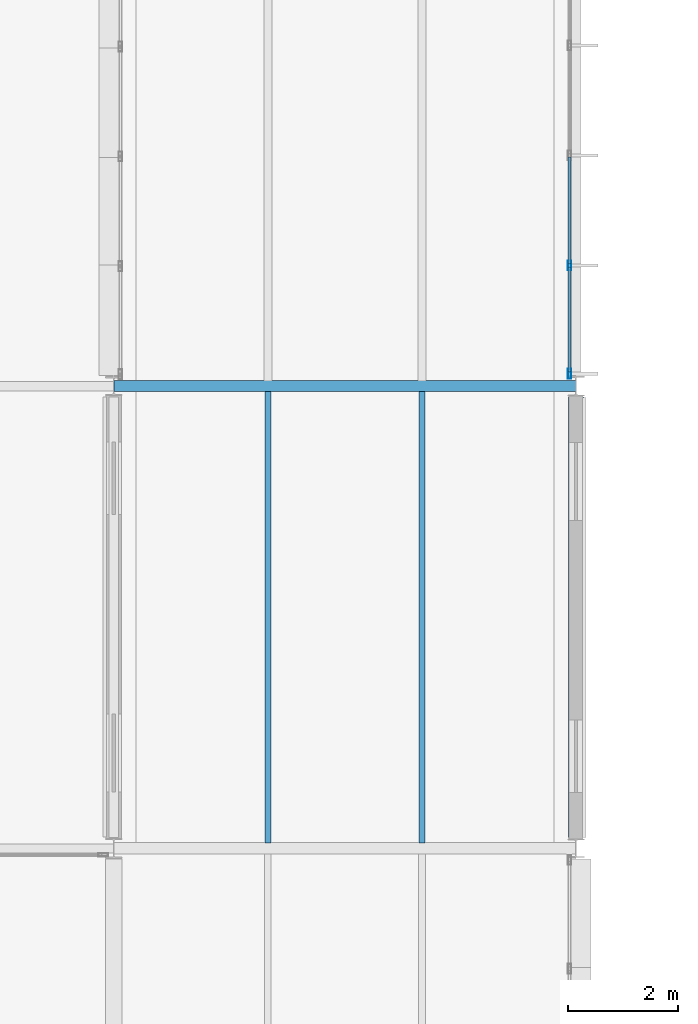
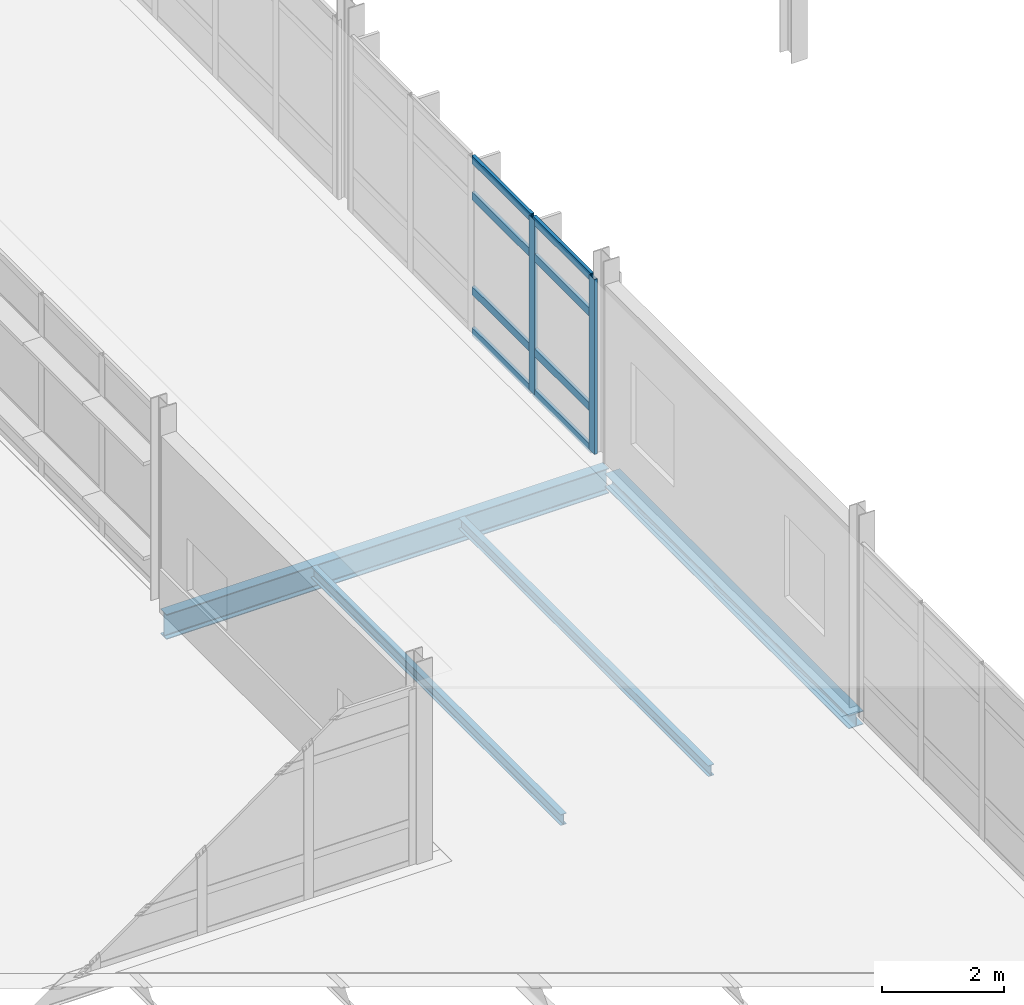
# One storey, part 65 of 103: 10 members, 4 beams, 1 element without a shape of its own.
"""IFC4 building model written with IfcOpenShell, lengths in metres."""

from ifc_helpers import new_model, si_unit, direction, frame, origin, origin_2d, place, context, subcontext, project, spatial, hollow_rectangle, i_section, extrude, material, material_profile, profile_set, type_object, element, aggregate, save


model = new_model("IFC4")

# Units and contexts
model_context = context("Model", 3, precision=1e-05, world=origin(), true_north=direction((0.0, 1.0)))
body_context = subcontext(model_context, "Body", "Model", "MODEL_VIEW")
ifc_project = project(units=[si_unit("LENGTHUNIT", "METRE"), si_unit("AREAUNIT", "SQUARE_METRE"), si_unit("VOLUMEUNIT", "CUBIC_METRE"), si_unit("PLANEANGLEUNIT", "RADIAN"), si_unit("MASSUNIT", "GRAM", prefix="KILO")], contexts=[model_context])

# Site, building, storey
site_placement = place(None, origin())
site = spatial("IfcSite", under=ifc_project, at=site_placement, CompositionType="ELEMENT")
building_placement = place(site_placement, origin())
building = spatial("IfcBuilding", under=site, at=building_placement, Name="Mersafa Astral City Hall", CompositionType="ELEMENT")
storey_placement = place(building_placement, frame((0.0, 0.0, 18.0)))
storey = spatial("IfcBuildingStorey", under=building, at=storey_placement, Name="L04", CompositionType="ELEMENT", Elevation=18.0)

# Curtain wall, members
ifc_material_1 = material(Name="Anodised bronze aluminium framing", Category="aluminium")
curtain_wall_type = type_object("IfcCurtainWallType", Name="ENV-CW-1", PredefinedType="USERDEFINED", material=ifc_material_1)
curtain_wall_placement = place(storey_placement, origin())
curtain_wall = element("IfcCurtainWall", 1, at=curtain_wall_placement, inside=storey, type_object=curtain_wall_type, Name="L04 Unitised solar curtain wall 192", ObjectType="UNITISED CURTAIN WALL", PredefinedType="USERDEFINED")
ifc_material_profile_1 = material_profile(ifc_material_1, hollow_rectangle(XDim=0.06005859375, YDim=0.179931640625, WallThickness=0.00390625, at=origin_2d()), Name="RHS 60x180x4")
ifc_profile_set_1 = profile_set([ifc_material_profile_1], Name="Anodised bronze aluminium framing")
member_type_1 = type_object("IfcMemberType", Name="ENV-CW-MUL-1", PredefinedType="MULLION", material=ifc_profile_set_1)
member_1_placement = place(storey_placement, frame((176.280029296875, 92.6220703125, -0.001953125), z_axis=(0.0, 0.0, 1.0), x_axis=(-1.0, 0.0, 0.0)))
member_1 = element("IfcMember", 2, at=member_1_placement, type_object=member_type_1, Name="CW-1 mullion 1", PredefinedType="MULLION", context=body_context, shape_type="SweptSolid", body=[
    extrude(hollow_rectangle(XDim=0.06005859375, YDim=0.179931640625, WallThickness=0.00390625, at=origin_2d()), origin(), (0.0, 0.0, 1.0), 3.509033203125),
])
member_2_placement = place(storey_placement, frame((176.280029296875, 94.591064453125, -0.001953125), z_axis=(0.0, 0.0, 1.0), x_axis=(-1.0, 0.0, 0.0)))
member_2 = element("IfcMember", 3, at=member_2_placement, type_object=member_type_1, Name="CW-1 mullion 2", PredefinedType="MULLION", context=body_context, shape_type="SweptSolid", body=[
    extrude(hollow_rectangle(XDim=0.06005859375, YDim=0.179931640625, WallThickness=0.00390625, at=origin_2d()), origin(), (0.0, 0.0, 1.0), 3.509033203125),
])
ifc_material_profile_2 = material_profile(ifc_material_1, hollow_rectangle(XDim=0.06005859375, YDim=0.159912109375, WallThickness=0.00390625, at=origin_2d()), Name="RHS 60x160x4")
ifc_profile_set_2 = profile_set([ifc_material_profile_2], Name="Anodised bronze aluminium framing")
member_type_2 = type_object("IfcMemberType", Name="ENV-CW-TRN-2", PredefinedType="USERDEFINED", material=ifc_profile_set_2)
member_3_placement = place(storey_placement, frame((176.280029296875, 92.652099609375, 0.028076171875), z_axis=(0.0, 1.0, 0.0), x_axis=(-1.0, 0.0, 0.0)))
member_3 = element("IfcMember", 4, at=member_3_placement, type_object=member_type_2, Name="CW-1 transom 1.1", ObjectType="TRANSOM", PredefinedType="USERDEFINED", context=body_context, shape_type="SweptSolid", body=[
    extrude(hollow_rectangle(XDim=0.06005859375, YDim=0.159912109375, WallThickness=0.00390625, at=origin_2d()), origin(), (0.0, 0.0, 1.0), 1.908935546875),
])
member_4_placement = place(storey_placement, frame((176.280029296875, 92.652099609375, 0.85009765625), z_axis=(0.0, 1.0, 0.0), x_axis=(-1.0, 0.0, 0.0)))
member_4 = element("IfcMember", 5, at=member_4_placement, type_object=member_type_2, Name="CW-1 transom 1.2", ObjectType="TRANSOM", PredefinedType="USERDEFINED", context=body_context, shape_type="SweptSolid", body=[
    extrude(hollow_rectangle(XDim=0.06005859375, YDim=0.159912109375, WallThickness=0.00390625, at=origin_2d()), origin(), (0.0, 0.0, 1.0), 1.908935546875),
])
member_5_placement = place(storey_placement, frame((176.280029296875, 92.652099609375, 2.75), z_axis=(0.0, 1.0, 0.0), x_axis=(-1.0, 0.0, 0.0)))
member_5 = element("IfcMember", 6, at=member_5_placement, type_object=member_type_2, Name="CW-1 transom 1.3", ObjectType="TRANSOM", PredefinedType="USERDEFINED", context=body_context, shape_type="SweptSolid", body=[
    extrude(hollow_rectangle(XDim=0.06005859375, YDim=0.159912109375, WallThickness=0.00390625, at=origin_2d()), origin(), (0.0, 0.0, 1.0), 1.908935546875),
])
member_6_placement = place(storey_placement, frame((176.280029296875, 92.652099609375, 3.47705078125), z_axis=(0.0, 1.0, 0.0), x_axis=(-1.0, 0.0, 0.0)))
member_6 = element("IfcMember", 7, at=member_6_placement, type_object=member_type_2, Name="CW-1 transom 1.4", ObjectType="TRANSOM", PredefinedType="USERDEFINED", context=body_context, shape_type="SweptSolid", body=[
    extrude(hollow_rectangle(XDim=0.06005859375, YDim=0.159912109375, WallThickness=0.00390625, at=origin_2d()), origin(), (0.0, 0.0, 1.0), 1.908935546875),
])
member_7_placement = place(storey_placement, frame((176.280029296875, 94.62109375, 0.028076171875), z_axis=(0.0, 1.0, 0.0), x_axis=(-1.0, 0.0, 0.0)))
member_7 = element("IfcMember", 8, at=member_7_placement, type_object=member_type_2, Name="CW-1 transom 2.1", ObjectType="TRANSOM", PredefinedType="USERDEFINED", context=body_context, shape_type="SweptSolid", body=[
    extrude(hollow_rectangle(XDim=0.06005859375, YDim=0.159912109375, WallThickness=0.00390625, at=origin_2d()), origin(), (0.0, 0.0, 1.0), 1.93896484375),
])
member_8_placement = place(storey_placement, frame((176.280029296875, 94.62109375, 0.85009765625), z_axis=(0.0, 1.0, 0.0), x_axis=(-1.0, 0.0, 0.0)))
member_8 = element("IfcMember", 9, at=member_8_placement, type_object=member_type_2, Name="CW-1 transom 2.2", ObjectType="TRANSOM", PredefinedType="USERDEFINED", context=body_context, shape_type="SweptSolid", body=[
    extrude(hollow_rectangle(XDim=0.06005859375, YDim=0.159912109375, WallThickness=0.00390625, at=origin_2d()), origin(), (0.0, 0.0, 1.0), 1.93896484375),
])
member_9_placement = place(storey_placement, frame((176.280029296875, 94.62109375, 2.75), z_axis=(0.0, 1.0, 0.0), x_axis=(-1.0, 0.0, 0.0)))
member_9 = element("IfcMember", 10, at=member_9_placement, type_object=member_type_2, Name="CW-1 transom 2.3", ObjectType="TRANSOM", PredefinedType="USERDEFINED", context=body_context, shape_type="SweptSolid", body=[
    extrude(hollow_rectangle(XDim=0.06005859375, YDim=0.159912109375, WallThickness=0.00390625, at=origin_2d()), origin(), (0.0, 0.0, 1.0), 1.93896484375),
])
member_10_placement = place(storey_placement, frame((176.280029296875, 94.62109375, 3.47705078125), z_axis=(0.0, 1.0, 0.0), x_axis=(-1.0, 0.0, 0.0)))
member_10 = element("IfcMember", 11, at=member_10_placement, type_object=member_type_2, Name="CW-1 transom 2.4", ObjectType="TRANSOM", PredefinedType="USERDEFINED", context=body_context, shape_type="SweptSolid", body=[
    extrude(hollow_rectangle(XDim=0.06005859375, YDim=0.159912109375, WallThickness=0.00390625, at=origin_2d()), origin(), (0.0, 0.0, 1.0), 1.93896484375),
])
aggregate(curtain_wall, [member_1, member_2, member_3, member_4, member_5, member_6, member_7, member_8, member_9, member_10])

# Beams
ifc_material_2 = material(Name="Steel S355", Category="steel")
ifc_material_profile_3 = material_profile(ifc_material_2, i_section(OverallWidth=0.199951171875, OverallDepth=0.5, WebThickness=0.01025390625, FlangeThickness=0.01611328125, FilletRadius=0.02099609375, at=origin_2d()), Name="IPE 500")
ifc_profile_set_3 = profile_set([ifc_material_profile_3], Name="Steel S355")
beam_type_1 = type_object("IfcBeamType", Name="STR-BM-IPE500", PredefinedType="BEAM", material=ifc_profile_set_3)
beam_1_placement = place(storey_placement, frame((168.0029296875, 92.39990234375, -0.43505859375), z_axis=(1.0, 0.0, 0.0), x_axis=(0.0, 1.0, 0.0)))
element("IfcBeam", 12, at=beam_1_placement, inside=storey, type_object=beam_type_1, Name="L04 Primary girder X 20-11", PredefinedType="BEAM", context=body_context, shape_type="SweptSolid", body=[
    extrude(i_section(OverallWidth=0.199951171875, OverallDepth=0.5, WebThickness=0.01025390625, FlangeThickness=0.01611328125, FilletRadius=0.02099609375, at=origin_2d()), origin(), (0.0, 0.0, 1.0), 8.39404296875),
])
ifc_material_profile_4 = material_profile(ifc_material_2, i_section(OverallWidth=0.110107421875, OverallDepth=0.219970703125, WebThickness=0.005859375, FlangeThickness=0.00927734375, FilletRadius=0.011962890625, at=origin_2d()), Name="IPE 220")
ifc_profile_set_4 = profile_set([ifc_material_profile_4], Name="Steel S355")
beam_type_2 = type_object("IfcBeamType", Name="STR-BM-JOIST-IPE220", PredefinedType="JOIST", material=ifc_profile_set_4)
for number, where, z_axis, x_axis, name in (
    (13, (170.800048828125, 84.10009765625, -0.294921875), (0.0, 1.0, 0.0), (-1.0, 0.0, 0.0), "L04 Composite secondary floor joist 779"),
    (14, (173.60009765625, 84.10009765625, -0.294921875), (0.0, 1.0, 0.0), (-1.0, 0.0, 0.0), "L04 Composite secondary floor joist 780"),
):
    element("IfcBeam", number, at=place(storey_placement, frame(where, z_axis=z_axis, x_axis=x_axis)), inside=storey, type_object=beam_type_2, Name=name, PredefinedType="JOIST", context=body_context, shape_type="SweptSolid", body=[
        extrude(i_section(OverallWidth=0.110107421875, OverallDepth=0.219970703125, WebThickness=0.005859375, FlangeThickness=0.00927734375, FilletRadius=0.011962890625, at=origin_2d()), origin(), (0.0, 0.0, 1.0), 8.204833984375),
    ])
ifc_material_profile_5 = material_profile(ifc_material_2, i_section(OverallWidth=0.280029296875, OverallDepth=0.27001953125, WebThickness=0.008056640625, FlangeThickness=0.012939453125, FilletRadius=0.02392578125, at=origin_2d()), Name="HEA 280")
ifc_profile_set_5 = profile_set([ifc_material_profile_5], Name="Steel S355")
beam_type_3 = type_object("IfcBeamType", Name="STR-BM-SPANDREL-HEA280", PredefinedType="SPANDREL", material=ifc_profile_set_5)
beam_2_placement = place(storey_placement, frame((176.39990234375, 84.195068359375, -0.320068359375), z_axis=(0.0, 1.0, 0.0), x_axis=(-1.0, 0.0, 0.0)))
element("IfcBeam", 15, at=beam_2_placement, inside=storey, type_object=beam_type_3, Name="L04 Primary girder Y 21-10", PredefinedType="SPANDREL", context=body_context, shape_type="SweptSolid", body=[
    extrude(i_section(OverallWidth=0.280029296875, OverallDepth=0.27001953125, WebThickness=0.008056640625, FlangeThickness=0.012939453125, FilletRadius=0.02392578125, at=origin_2d()), origin(), (0.0, 0.0, 1.0), 8.010009765625),
])

save(model, "model.ifc")
